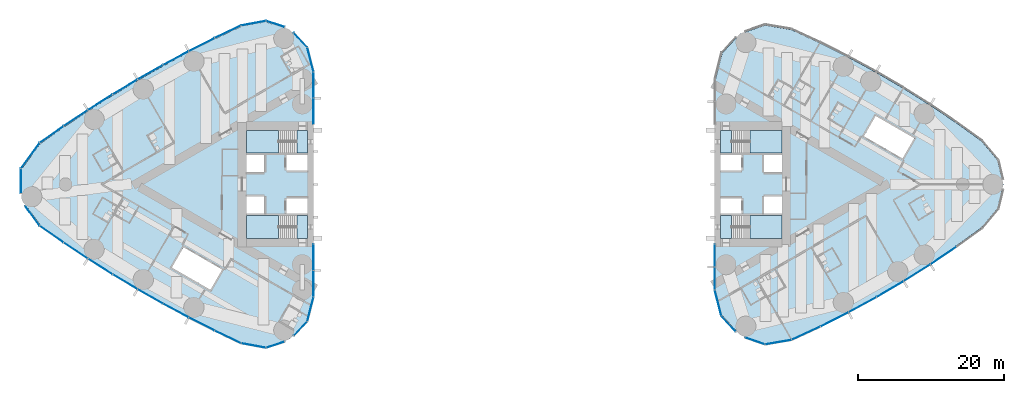
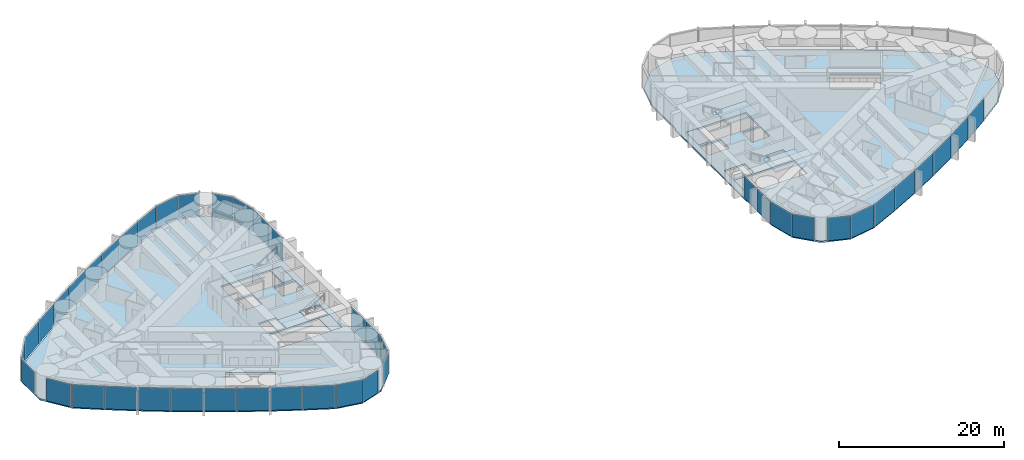
# One storey, part 10 of 18: 43 plates, 10 slabs, 10 elements without a shape of their own.
"""IFC4 building model written with IfcOpenShell, lengths in metres."""

from ifc_helpers import new_model, si_unit, direction, frame, origin, origin_2d, place, context, subcontext, project, spatial, polyline, rectangle, outline, extrude, material, layer, layer_set, type_object, element, aggregate, save


model = new_model("IFC4")

# Units and contexts
model_context = context("Model", 3, precision=1e-05, world=origin(), true_north=direction((0.0, 1.0)))
body_context = subcontext(model_context, "Body", "Model", "MODEL_VIEW")
ifc_project = project(units=[si_unit("LENGTHUNIT", "METRE"), si_unit("AREAUNIT", "SQUARE_METRE"), si_unit("VOLUMEUNIT", "CUBIC_METRE"), si_unit("PLANEANGLEUNIT", "RADIAN"), si_unit("MASSUNIT", "GRAM", prefix="KILO")], contexts=[model_context])

# Site, building, storey
site_placement = place(None, origin())
site = spatial("IfcSite", under=ifc_project, at=site_placement, CompositionType="ELEMENT")
building_placement = place(site_placement, origin())
building = spatial("IfcBuilding", under=site, at=building_placement, Name="Lancet Gate Hotel", CompositionType="ELEMENT")
storey_placement = place(building_placement, frame((0.0, 0.0, 187.800048828125)))
storey = spatial("IfcBuildingStorey", under=building, at=storey_placement, Name="L50", CompositionType="ELEMENT", Elevation=187.800048828125)

# Slabs
ifc_material_1 = material(Name="Concrete C50/60", Category="concrete")
ifc_layer_1 = layer(ifc_material_1, 0.25)
ifc_layer_set_1 = layer_set([ifc_layer_1], Name="Floor slab 250")
slab_type_1 = type_object("IfcSlabType", Name="Floor slab 250", PredefinedType="FLOOR", material=ifc_layer_set_1)
slab_1_placement = place(storey_placement, frame((0.0, 0.0, -0.25)))
element("IfcSlab", 1, at=slab_1_placement, inside=storey, type_object=slab_type_1, Name="T1 L50 floor slab", PredefinedType="FLOOR", context=body_context, shape_type="SweptSolid", body=[
    extrude(outline(polyline([(-27.5, 8.60009765625), (-27.6201171875, 8.60009765625), (-27.6201171875, 15.408203125), (-28.46923828125, 18.7265625), (-30.797607421875, 21.217529296875), (-34.0361328125, 22.283935546875), (-37.403564453125, 21.660400390625), (-40.996826171875, 19.9453125), (-44.561767578125, 18.139404296875), (-48.0830078125, 16.250244140625), (-51.558837890625, 14.27880859375), (-54.987548828125, 12.22607421875), (-58.366943359375, 10.09326171875), (-61.695068359375, 7.881591796875), (-64.955322265625, 5.602783203125), (-67.49560546875, 2.138427734375), (-67.49560546875, -2.138427734375), (-64.955322265625, -5.602783203125), (-61.695068359375, -7.881591796875), (-58.366943359375, -10.09326171875), (-54.987548828125, -12.22607421875), (-51.558837890625, -14.27880859375), (-48.0830078125, -16.250244140625), (-44.561767578125, -18.139404296875), (-40.996826171875, -19.9453125), (-37.403564453125, -21.660400390625), (-34.0361328125, -22.283935546875), (-30.797607421875, -21.217529296875), (-28.46923828125, -18.7265625), (-27.6201171875, -15.408203125), (-27.6201171875, -8.60009765625), (-27.5, -8.60009765625), (-27.5, -8.199951171875), (-27.5, 8.199951171875), (-27.5, 8.60009765625)]), holes=[polyline([(-36.699951171875, 7.39990234375), (-36.699951171875, 4.300048828125), (-28.300048828125, 4.300048828125), (-28.300048828125, 7.39990234375), (-36.699951171875, 7.39990234375)]), polyline([(-28.300048828125, 4.0), (-31.199951171875, 4.0), (-31.199951171875, 1.89990234375), (-28.300048828125, 1.89990234375), (-28.300048828125, 4.0)]), polyline([(-34.25, 4.0), (-36.699951171875, 4.0), (-36.699951171875, 1.64990234375), (-34.25, 1.64990234375), (-34.25, 4.0)]), polyline([(-36.699951171875, -1.64990234375), (-36.699951171875, -4.0), (-34.25, -4.0), (-34.25, -1.64990234375), (-36.699951171875, -1.64990234375)]), polyline([(-28.300048828125, -1.89990234375), (-31.199951171875, -1.89990234375), (-31.199951171875, -4.0), (-28.300048828125, -4.0), (-28.300048828125, -1.89990234375)]), polyline([(-28.300048828125, -4.300048828125), (-36.699951171875, -4.300048828125), (-36.699951171875, -7.39990234375), (-28.300048828125, -7.39990234375), (-28.300048828125, -4.300048828125)]), polyline([(-45.319091796875, -8.631103515625), (-46.9189453125, -11.402099609375), (-41.635986328125, -14.451904296875), (-40.035888671875, -11.680908203125), (-45.319091796875, -8.631103515625)])]), origin(), (0.0, 0.0, 1.0), 0.25),
])
slab_2_placement = place(storey_placement, frame((0.0, 0.0, -0.25)))
element("IfcSlab", 2, at=slab_2_placement, inside=storey, type_object=slab_type_1, Name="T2 L50 floor slab", PredefinedType="FLOOR", context=body_context, shape_type="SweptSolid", body=[
    extrude(outline(polyline([(27.5, -8.60009765625), (27.6201171875, -8.60009765625), (27.6201171875, -14.450439453125), (28.517822265625, -17.9853515625), (30.98291015625, -20.65185546875), (34.421875, -21.819091796875), (38.01513671875, -21.201171875), (41.9296875, -19.383056640625), (45.796875, -17.435302734375), (49.6005859375, -15.36572265625), (53.336669921875, -13.1767578125), (57.00146484375, -10.87060546875), (60.591552734375, -8.44921875), (64.092041015625, -5.9228515625), (66.283447265625, -3.307373046875), (67.06640625, 0.0), (66.283447265625, 3.307373046875), (64.092041015625, 5.9228515625), (60.591552734375, 8.44921875), (57.00146484375, 10.87060546875), (53.336669921875, 13.1767578125), (49.6005859375, 15.36572265625), (45.796875, 17.435302734375), (41.9296875, 19.383056640625), (38.01513671875, 21.201171875), (34.421875, 21.819091796875), (30.98291015625, 20.65185546875), (28.517822265625, 17.9853515625), (27.6201171875, 14.450439453125), (27.6201171875, 8.60009765625), (27.5, 8.60009765625), (27.5, 8.199951171875), (27.5, -8.199951171875), (27.5, -8.60009765625)]), holes=[polyline([(36.699951171875, -7.39990234375), (36.699951171875, -4.300048828125), (28.300048828125, -4.300048828125), (28.300048828125, -7.39990234375), (36.699951171875, -7.39990234375)]), polyline([(28.300048828125, -4.0), (31.199951171875, -4.0), (31.199951171875, -1.89990234375), (28.300048828125, -1.89990234375), (28.300048828125, -4.0)]), polyline([(34.25, -4.0), (36.699951171875, -4.0), (36.699951171875, -1.64990234375), (34.25, -1.64990234375), (34.25, -4.0)]), polyline([(36.699951171875, 1.64990234375), (36.699951171875, 4.0), (34.25, 4.0), (34.25, 1.64990234375), (36.699951171875, 1.64990234375)]), polyline([(28.300048828125, 1.89990234375), (31.199951171875, 1.89990234375), (31.199951171875, 4.0), (28.300048828125, 4.0), (28.300048828125, 1.89990234375)]), polyline([(28.300048828125, 4.300048828125), (36.699951171875, 4.300048828125), (36.699951171875, 7.39990234375), (28.300048828125, 7.39990234375), (28.300048828125, 4.300048828125)]), polyline([(53.242919921875, 3.555908203125), (54.843017578125, 6.326904296875), (49.56103515625, 9.376953125), (47.9609375, 6.60595703125), (53.242919921875, 3.555908203125)])]), origin(), (0.0, 0.0, 1.0), 0.25),
])

# Stair, slabs
ifc_material_2 = material(Name="Exit stair 20 risers 1500")
stair_type = type_object("IfcStairType", Name="Exit stair 20 risers 1500", PredefinedType="HALF_TURN_STAIR", material=ifc_material_2)
stair_1_placement = place(storey_placement, origin())
stair_1 = element("IfcStair", 3, at=stair_1_placement, inside=storey, type_object=stair_type, Name="T1 stair 1 L50", PredefinedType="HALF_TURN_STAIR")
ifc_material_3 = material(Name="Concrete C40/50", Category="concrete")
ifc_layer_2 = layer(ifc_material_3, 0.199951171875)
ifc_layer_set_2 = layer_set([ifc_layer_2], Name="Stair landing 200")
slab_type_2 = type_object("IfcSlabType", Name="Stair landing 200", PredefinedType="LANDING", material=ifc_layer_set_2)
slab_3_placement = place(storey_placement, frame((0.0, 0.0, -0.199951171875)))
slab_3 = element("IfcSlab", 4, at=slab_3_placement, type_object=slab_type_2, Name="ST1 landing 1", PredefinedType="LANDING", context=body_context, shape_type="SweptSolid", body=[
    extrude(outline(polyline([(-28.300048828125, 7.39990234375), (-29.800048828125, 7.39990234375), (-29.800048828125, 4.300048828125), (-28.300048828125, 4.300048828125), (-28.300048828125, 7.39990234375)])), origin(), (0.0, 0.0, 1.0), 0.199951171875),
])
slab_4_placement = place(storey_placement, frame((0.0, 0.0, 1.550048828125)))
slab_4 = element("IfcSlab", 5, at=slab_4_placement, type_object=slab_type_2, Name="ST1 landing 2", PredefinedType="LANDING", context=body_context, shape_type="SweptSolid", body=[
    extrude(outline(polyline([(-32.320068359375, 7.39990234375), (-36.699951171875, 7.39990234375), (-36.699951171875, 4.300048828125), (-32.320068359375, 4.300048828125), (-32.320068359375, 7.39990234375)])), origin(), (0.0, 0.0, 1.0), 0.199951171875),
])
aggregate(stair_1, [slab_3, slab_4])

stair_2_placement = place(storey_placement, origin())
stair_2 = element("IfcStair", 6, at=stair_2_placement, inside=storey, type_object=stair_type, Name="T1 stair 2 L50", PredefinedType="HALF_TURN_STAIR")
slab_5_placement = place(storey_placement, frame((0.0, 0.0, -0.199951171875)))
slab_5 = element("IfcSlab", 7, at=slab_5_placement, type_object=slab_type_2, Name="ST2 landing 1", PredefinedType="LANDING", context=body_context, shape_type="SweptSolid", body=[
    extrude(outline(polyline([(-28.300048828125, -4.300048828125), (-29.800048828125, -4.300048828125), (-29.800048828125, -7.39990234375), (-28.300048828125, -7.39990234375), (-28.300048828125, -4.300048828125)])), origin(), (0.0, 0.0, 1.0), 0.199951171875),
])
slab_6_placement = place(storey_placement, frame((0.0, 0.0, 1.550048828125)))
slab_6 = element("IfcSlab", 8, at=slab_6_placement, type_object=slab_type_2, Name="ST2 landing 2", PredefinedType="LANDING", context=body_context, shape_type="SweptSolid", body=[
    extrude(outline(polyline([(-32.320068359375, -4.300048828125), (-36.699951171875, -4.300048828125), (-36.699951171875, -7.39990234375), (-32.320068359375, -7.39990234375), (-32.320068359375, -4.300048828125)])), origin(), (0.0, 0.0, 1.0), 0.199951171875),
])
aggregate(stair_2, [slab_5, slab_6])

stair_3_placement = place(storey_placement, origin())
stair_3 = element("IfcStair", 9, at=stair_3_placement, inside=storey, type_object=stair_type, Name="T2 stair 1 L50", PredefinedType="HALF_TURN_STAIR")
slab_7_placement = place(storey_placement, frame((0.0, 0.0, -0.199951171875)))
slab_7 = element("IfcSlab", 10, at=slab_7_placement, type_object=slab_type_2, Name="ST3 landing 1", PredefinedType="LANDING", context=body_context, shape_type="SweptSolid", body=[
    extrude(outline(polyline([(28.300048828125, -7.39990234375), (29.800048828125, -7.39990234375), (29.800048828125, -4.300048828125), (28.300048828125, -4.300048828125), (28.300048828125, -7.39990234375)])), origin(), (0.0, 0.0, 1.0), 0.199951171875),
])
slab_8_placement = place(storey_placement, frame((0.0, 0.0, 1.550048828125)))
slab_8 = element("IfcSlab", 11, at=slab_8_placement, type_object=slab_type_2, Name="ST3 landing 2", PredefinedType="LANDING", context=body_context, shape_type="SweptSolid", body=[
    extrude(outline(polyline([(32.320068359375, -7.39990234375), (36.699951171875, -7.39990234375), (36.699951171875, -4.300048828125), (32.320068359375, -4.300048828125), (32.320068359375, -7.39990234375)])), origin(), (0.0, 0.0, 1.0), 0.199951171875),
])
aggregate(stair_3, [slab_7, slab_8])

stair_4_placement = place(storey_placement, origin())
stair_4 = element("IfcStair", 12, at=stair_4_placement, inside=storey, type_object=stair_type, Name="T2 stair 2 L50", PredefinedType="HALF_TURN_STAIR")
slab_9_placement = place(storey_placement, frame((0.0, 0.0, -0.199951171875)))
slab_9 = element("IfcSlab", 13, at=slab_9_placement, type_object=slab_type_2, Name="ST4 landing 1", PredefinedType="LANDING", context=body_context, shape_type="SweptSolid", body=[
    extrude(outline(polyline([(28.300048828125, 4.300048828125), (29.800048828125, 4.300048828125), (29.800048828125, 7.39990234375), (28.300048828125, 7.39990234375), (28.300048828125, 4.300048828125)])), origin(), (0.0, 0.0, 1.0), 0.199951171875),
])
slab_10_placement = place(storey_placement, frame((0.0, 0.0, 1.550048828125)))
slab_10 = element("IfcSlab", 14, at=slab_10_placement, type_object=slab_type_2, Name="ST4 landing 2", PredefinedType="LANDING", context=body_context, shape_type="SweptSolid", body=[
    extrude(outline(polyline([(32.320068359375, 4.300048828125), (36.699951171875, 4.300048828125), (36.699951171875, 7.39990234375), (32.320068359375, 7.39990234375), (32.320068359375, 4.300048828125)])), origin(), (0.0, 0.0, 1.0), 0.199951171875),
])
aggregate(stair_4, [slab_9, slab_10])

# Curtain wall, plates
ifc_material_4 = material(Name="Aluminium curtain wall", Category="aluminium")
curtain_wall_type = type_object("IfcCurtainWallType", Name="Tower unitised curtain wall", PredefinedType="USERDEFINED", material=ifc_material_4)
curtain_wall_1_placement = place(storey_placement, origin())
curtain_wall_1 = element("IfcCurtainWall", 15, at=curtain_wall_1_placement, inside=storey, type_object=curtain_wall_type, Name="T1 L50 curtain wall 1", ObjectType="UNITISED CURTAIN WALL", PredefinedType="USERDEFINED")
ifc_material_5 = material(Name="Glass double glazed unit 8-16-6", Category="glass")
ifc_layer_3 = layer(ifc_material_5, 0.030029296875)
ifc_layer_set_3 = layer_set([ifc_layer_3], Name="Vision panel double glazed")
plate_type = type_object("IfcPlateType", Name="Vision panel double glazed", PredefinedType="CURTAIN_PANEL", material=ifc_layer_set_3)
plate_1_placement = place(storey_placement, frame((-27.5, 10.005859375, 0.0), z_axis=(0.0, 0.0, 1.0), x_axis=(0.0, 1.0, 0.0)))
plate_1 = element("IfcPlate", 16, at=plate_1_placement, type_object=plate_type, Name="T1 L50 curtain wall 1 panel 1", PredefinedType="CURTAIN_PANEL", context=body_context, shape_type="SweptSolid", body=[
    extrude(rectangle(XDim=3.546630859375, YDim=0.030029296875, at=origin_2d()), origin(), (0.0, 0.0, 1.0), 3.35009765625),
])
plate_2_placement = place(storey_placement, frame((-27.5, 13.617431640625, 0.0), z_axis=(0.0, 0.0, 1.0), x_axis=(0.0, 1.0, 0.0)))
plate_2 = element("IfcPlate", 17, at=plate_2_placement, type_object=plate_type, Name="T1 L50 curtain wall 1 panel 2", PredefinedType="CURTAIN_PANEL", context=body_context, shape_type="SweptSolid", body=[
    extrude(rectangle(XDim=3.546630859375, YDim=0.030029296875, at=origin_2d()), origin(), (0.0, 0.0, 1.0), 3.35009765625),
])
plate_3_placement = place(storey_placement, frame((-27.930419921875, 17.104736328125, 0.0), z_axis=(0.0, 0.0, 1.0), x_axis=(-0.247936754654, 0.968776220647, 0.0)))
plate_3 = element("IfcPlate", 18, at=plate_3_placement, type_object=plate_type, Name="T1 L50 curtain wall 1 panel 3", PredefinedType="CURTAIN_PANEL", context=body_context, shape_type="SweptSolid", body=[
    extrude(rectangle(XDim=3.406005859375, YDim=0.030029296875, at=origin_2d()), origin(), (0.0, 0.0, 1.0), 3.35009765625),
])
plate_4_placement = place(storey_placement, frame((-29.28564453125, 19.77587890625, 0.0), z_axis=(0.0, 0.0, 1.0), x_axis=(-0.682844962172, 0.730563315282, 0.0)))
plate_4 = element("IfcPlate", 19, at=plate_4_placement, type_object=plate_type, Name="T1 L50 curtain wall 1 panel 4", PredefinedType="CURTAIN_PANEL", context=body_context, shape_type="SweptSolid", body=[
    extrude(rectangle(XDim=2.64453125, YDim=0.030029296875, at=origin_2d()), origin(), (0.0, 0.0, 1.0), 3.35009765625),
])
aggregate(curtain_wall_1, [plate_1, plate_2, plate_3, plate_4])

curtain_wall_2_placement = place(storey_placement, origin())
curtain_wall_2 = element("IfcCurtainWall", 20, at=curtain_wall_2_placement, inside=storey, type_object=curtain_wall_type, Name="T1 L50 curtain wall 2", ObjectType="UNITISED CURTAIN WALL", PredefinedType="USERDEFINED")
plate_5_placement = place(storey_placement, frame((-32.740234375, 21.983642578125, 0.0), z_axis=(0.0, 0.0, 1.0), x_axis=(-0.949848055084, 0.312711803827, 0.0)))
plate_5 = element("IfcPlate", 21, at=plate_5_placement, type_object=plate_type, Name="T1 L50 curtain wall 2 panel 1", PredefinedType="CURTAIN_PANEL", context=body_context, shape_type="SweptSolid", body=[
    extrude(rectangle(XDim=2.64599609375, YDim=0.030029296875, at=origin_2d()), origin(), (0.0, 0.0, 1.0), 3.35009765625),
])
plate_6_placement = place(storey_placement, frame((-35.734375, 22.091552734375, 0.0), z_axis=(0.0, 0.0, 1.0), x_axis=(-0.983292499426, -0.182032581075, 0.0)))
plate_6 = element("IfcPlate", 22, at=plate_6_placement, type_object=plate_type, Name="T1 L50 curtain wall 2 panel 2", PredefinedType="CURTAIN_PANEL", context=body_context, shape_type="SweptSolid", body=[
    extrude(rectangle(XDim=3.406005859375, YDim=0.030029296875, at=origin_2d()), origin(), (0.0, 0.0, 1.0), 3.35009765625),
])
plate_7_placement = place(storey_placement, frame((-39.245361328125, 20.914306640625, 0.0), z_axis=(0.0, 0.0, 1.0), x_axis=(-0.902453530018, -0.430787216799, 0.0)))
plate_7 = element("IfcPlate", 23, at=plate_7_placement, type_object=plate_type, Name="T1 L50 curtain wall 2 panel 3", PredefinedType="CURTAIN_PANEL", context=body_context, shape_type="SweptSolid", body=[
    extrude(rectangle(XDim=3.933837890625, YDim=0.030029296875, at=origin_2d()), origin(), (0.0, 0.0, 1.0), 3.35009765625),
])
plate_8_placement = place(storey_placement, frame((-42.83349609375, 19.1494140625, 0.0), z_axis=(0.0, 0.0, 1.0), x_axis=(-0.892071119911, -0.451895028762, 0.0)))
plate_8 = element("IfcPlate", 24, at=plate_8_placement, type_object=plate_type, Name="T1 L50 curtain wall 2 panel 4", PredefinedType="CURTAIN_PANEL", context=body_context, shape_type="SweptSolid", body=[
    extrude(rectangle(XDim=3.933837890625, YDim=0.030029296875, at=origin_2d()), origin(), (0.0, 0.0, 1.0), 3.35009765625),
])
plate_9_placement = place(storey_placement, frame((-46.379150390625, 17.300537109375, 0.0), z_axis=(0.0, 0.0, 1.0), x_axis=(-0.881195096384, -0.472752791751, 0.0)))
plate_9 = element("IfcPlate", 25, at=plate_9_placement, type_object=plate_type, Name="T1 L50 curtain wall 2 panel 5", PredefinedType="CURTAIN_PANEL", context=body_context, shape_type="SweptSolid", body=[
    extrude(rectangle(XDim=3.933837890625, YDim=0.030029296875, at=origin_2d()), origin(), (0.0, 0.0, 1.0), 3.35009765625),
])
plate_10_placement = place(storey_placement, frame((-49.880126953125, 15.368896484375, 0.0), z_axis=(0.0, 0.0, 1.0), x_axis=(-0.869831477496, -0.493348964484, 0.0)))
plate_10 = element("IfcPlate", 26, at=plate_10_placement, type_object=plate_type, Name="T1 L50 curtain wall 2 panel 6", PredefinedType="CURTAIN_PANEL", context=body_context, shape_type="SweptSolid", body=[
    extrude(rectangle(XDim=3.933837890625, YDim=0.030029296875, at=origin_2d()), origin(), (0.0, 0.0, 1.0), 3.35009765625),
])
plate_11_placement = place(storey_placement, frame((-53.3349609375, 13.35546875, 0.0), z_axis=(0.0, 0.0, 1.0), x_axis=(-0.857986551132, -0.51367215038, 0.0)))
plate_11 = element("IfcPlate", 27, at=plate_11_placement, type_object=plate_type, Name="T1 L50 curtain wall 2 panel 7", PredefinedType="CURTAIN_PANEL", context=body_context, shape_type="SweptSolid", body=[
    extrude(rectangle(XDim=3.933837890625, YDim=0.030029296875, at=origin_2d()), origin(), (0.0, 0.0, 1.0), 3.35009765625),
])
plate_12_placement = place(storey_placement, frame((-56.7412109375, 11.26123046875, 0.0), z_axis=(0.0, 0.0, 1.0), x_axis=(-0.845666871497, -0.533711103925, 0.0)))
plate_12 = element("IfcPlate", 28, at=plate_12_placement, type_object=plate_type, Name="T1 L50 curtain wall 2 panel 8", PredefinedType="CURTAIN_PANEL", context=body_context, shape_type="SweptSolid", body=[
    extrude(rectangle(XDim=3.933837890625, YDim=0.030029296875, at=origin_2d()), origin(), (0.0, 0.0, 1.0), 3.35009765625),
])
plate_13_placement = place(storey_placement, frame((-60.097412109375, 9.08740234375, 0.0), z_axis=(0.0, 0.0, 1.0), x_axis=(-0.832879255498, -0.553454736867, 0.0)))
plate_13 = element("IfcPlate", 29, at=plate_13_placement, type_object=plate_type, Name="T1 L50 curtain wall 2 panel 9", PredefinedType="CURTAIN_PANEL", context=body_context, shape_type="SweptSolid", body=[
    extrude(rectangle(XDim=3.933837890625, YDim=0.030029296875, at=origin_2d()), origin(), (0.0, 0.0, 1.0), 3.35009765625),
])
plate_14_placement = place(storey_placement, frame((-63.401611328125, 6.835205078125, 0.0), z_axis=(0.0, 0.0, 1.0), x_axis=(-0.819630778943, -0.572892124409, 0.0)))
plate_14 = element("IfcPlate", 30, at=plate_14_placement, type_object=plate_type, Name="T1 L50 curtain wall 2 panel 10", PredefinedType="CURTAIN_PANEL", context=body_context, shape_type="SweptSolid", body=[
    extrude(rectangle(XDim=3.933837890625, YDim=0.030029296875, at=origin_2d()), origin(), (0.0, 0.0, 1.0), 3.35009765625),
])
plate_15_placement = place(storey_placement, frame((-66.328125, 3.933837890625, 0.0), z_axis=(0.0, 0.0, 1.0), x_axis=(-0.591299785592, -0.806451835858, 0.0)))
plate_15 = element("IfcPlate", 31, at=plate_15_placement, type_object=plate_type, Name="T1 L50 curtain wall 2 panel 11", PredefinedType="CURTAIN_PANEL", context=body_context, shape_type="SweptSolid", body=[
    extrude(rectangle(XDim=4.290283203125, YDim=0.030029296875, at=origin_2d()), origin(), (0.0, 0.0, 1.0), 3.35009765625),
])
plate_16_placement = place(storey_placement, frame((-67.61572265625, 0.478515625, 0.0), z_axis=(0.0, 0.0, 1.0), x_axis=(0.0, -1.0, 0.0)))
plate_16 = element("IfcPlate", 32, at=plate_16_placement, type_object=plate_type, Name="T1 L50 curtain wall 2 panel 12", PredefinedType="CURTAIN_PANEL", context=body_context, shape_type="SweptSolid", body=[
    extrude(rectangle(XDim=3.333251953125, YDim=0.030029296875, at=origin_2d()), origin(), (0.0, 0.0, 1.0), 3.35009765625),
])
aggregate(curtain_wall_2, [plate_5, plate_6, plate_7, plate_8, plate_9, plate_10, plate_11, plate_12, plate_13, plate_14, plate_15, plate_16])

curtain_wall_3_placement = place(storey_placement, origin())
curtain_wall_3 = element("IfcCurtainWall", 33, at=curtain_wall_3_placement, inside=storey, type_object=curtain_wall_type, Name="T1 L50 curtain wall 3", ObjectType="UNITISED CURTAIN WALL", PredefinedType="USERDEFINED")
plate_17_placement = place(storey_placement, frame((-66.04541015625, -4.3193359375, 0.0), z_axis=(0.0, 0.0, 1.0), x_axis=(0.591299785592, -0.806451835858, 0.0)))
plate_17 = element("IfcPlate", 34, at=plate_17_placement, type_object=plate_type, Name="T1 L50 curtain wall 3 panel 1", PredefinedType="CURTAIN_PANEL", context=body_context, shape_type="SweptSolid", body=[
    extrude(rectangle(XDim=3.334228515625, YDim=0.030029296875, at=origin_2d()), origin(), (0.0, 0.0, 1.0), 3.35009765625),
])
plate_18_placement = place(storey_placement, frame((-63.401611328125, -6.835205078125, 0.0), z_axis=(0.0, 0.0, 1.0), x_axis=(0.819630778943, -0.572892124409, 0.0)))
plate_18 = element("IfcPlate", 35, at=plate_18_placement, type_object=plate_type, Name="T1 L50 curtain wall 3 panel 2", PredefinedType="CURTAIN_PANEL", context=body_context, shape_type="SweptSolid", body=[
    extrude(rectangle(XDim=3.933837890625, YDim=0.030029296875, at=origin_2d()), origin(), (0.0, 0.0, 1.0), 3.35009765625),
])
plate_19_placement = place(storey_placement, frame((-60.097412109375, -9.08740234375, 0.0), z_axis=(0.0, 0.0, 1.0), x_axis=(0.832879255498, -0.553454736867, 0.0)))
plate_19 = element("IfcPlate", 36, at=plate_19_placement, type_object=plate_type, Name="T1 L50 curtain wall 3 panel 3", PredefinedType="CURTAIN_PANEL", context=body_context, shape_type="SweptSolid", body=[
    extrude(rectangle(XDim=3.933837890625, YDim=0.030029296875, at=origin_2d()), origin(), (0.0, 0.0, 1.0), 3.35009765625),
])
plate_20_placement = place(storey_placement, frame((-56.7412109375, -11.26123046875, 0.0), z_axis=(0.0, 0.0, 1.0), x_axis=(0.845666871497, -0.533711103925, 0.0)))
plate_20 = element("IfcPlate", 37, at=plate_20_placement, type_object=plate_type, Name="T1 L50 curtain wall 3 panel 4", PredefinedType="CURTAIN_PANEL", context=body_context, shape_type="SweptSolid", body=[
    extrude(rectangle(XDim=3.933837890625, YDim=0.030029296875, at=origin_2d()), origin(), (0.0, 0.0, 1.0), 3.35009765625),
])
plate_21_placement = place(storey_placement, frame((-53.3349609375, -13.35546875, 0.0), z_axis=(0.0, 0.0, 1.0), x_axis=(0.857986551132, -0.51367215038, 0.0)))
plate_21 = element("IfcPlate", 38, at=plate_21_placement, type_object=plate_type, Name="T1 L50 curtain wall 3 panel 5", PredefinedType="CURTAIN_PANEL", context=body_context, shape_type="SweptSolid", body=[
    extrude(rectangle(XDim=3.933837890625, YDim=0.030029296875, at=origin_2d()), origin(), (0.0, 0.0, 1.0), 3.35009765625),
])
plate_22_placement = place(storey_placement, frame((-49.880126953125, -15.368896484375, 0.0), z_axis=(0.0, 0.0, 1.0), x_axis=(0.869831477496, -0.493348964484, 0.0)))
plate_22 = element("IfcPlate", 39, at=plate_22_placement, type_object=plate_type, Name="T1 L50 curtain wall 3 panel 6", PredefinedType="CURTAIN_PANEL", context=body_context, shape_type="SweptSolid", body=[
    extrude(rectangle(XDim=3.933837890625, YDim=0.030029296875, at=origin_2d()), origin(), (0.0, 0.0, 1.0), 3.35009765625),
])
plate_23_placement = place(storey_placement, frame((-46.379150390625, -17.300537109375, 0.0), z_axis=(0.0, 0.0, 1.0), x_axis=(0.881195096384, -0.472752791751, 0.0)))
plate_23 = element("IfcPlate", 40, at=plate_23_placement, type_object=plate_type, Name="T1 L50 curtain wall 3 panel 7", PredefinedType="CURTAIN_PANEL", context=body_context, shape_type="SweptSolid", body=[
    extrude(rectangle(XDim=3.933837890625, YDim=0.030029296875, at=origin_2d()), origin(), (0.0, 0.0, 1.0), 3.35009765625),
])
plate_24_placement = place(storey_placement, frame((-42.83349609375, -19.1494140625, 0.0), z_axis=(0.0, 0.0, 1.0), x_axis=(0.892071119911, -0.451895028762, 0.0)))
plate_24 = element("IfcPlate", 41, at=plate_24_placement, type_object=plate_type, Name="T1 L50 curtain wall 3 panel 8", PredefinedType="CURTAIN_PANEL", context=body_context, shape_type="SweptSolid", body=[
    extrude(rectangle(XDim=3.933837890625, YDim=0.030029296875, at=origin_2d()), origin(), (0.0, 0.0, 1.0), 3.35009765625),
])
plate_25_placement = place(storey_placement, frame((-39.245361328125, -20.914306640625, 0.0), z_axis=(0.0, 0.0, 1.0), x_axis=(0.902453530018, -0.430787216799, 0.0)))
plate_25 = element("IfcPlate", 42, at=plate_25_placement, type_object=plate_type, Name="T1 L50 curtain wall 3 panel 9", PredefinedType="CURTAIN_PANEL", context=body_context, shape_type="SweptSolid", body=[
    extrude(rectangle(XDim=3.933837890625, YDim=0.030029296875, at=origin_2d()), origin(), (0.0, 0.0, 1.0), 3.35009765625),
])
plate_26_placement = place(storey_placement, frame((-35.734375, -22.091552734375, 0.0), z_axis=(0.0, 0.0, 1.0), x_axis=(0.983292499426, -0.182032581075, 0.0)))
plate_26 = element("IfcPlate", 43, at=plate_26_placement, type_object=plate_type, Name="T1 L50 curtain wall 3 panel 10", PredefinedType="CURTAIN_PANEL", context=body_context, shape_type="SweptSolid", body=[
    extrude(rectangle(XDim=3.406005859375, YDim=0.030029296875, at=origin_2d()), origin(), (0.0, 0.0, 1.0), 3.35009765625),
])
plate_27_placement = place(storey_placement, frame((-32.740234375, -21.983642578125, 0.0), z_axis=(0.0, 0.0, 1.0), x_axis=(0.949848055084, 0.312711803827, 0.0)))
plate_27 = element("IfcPlate", 44, at=plate_27_placement, type_object=plate_type, Name="T1 L50 curtain wall 3 panel 11", PredefinedType="CURTAIN_PANEL", context=body_context, shape_type="SweptSolid", body=[
    extrude(rectangle(XDim=2.64599609375, YDim=0.030029296875, at=origin_2d()), origin(), (0.0, 0.0, 1.0), 3.35009765625),
])
aggregate(curtain_wall_3, [plate_17, plate_18, plate_19, plate_20, plate_21, plate_22, plate_23, plate_24, plate_25, plate_26, plate_27])

curtain_wall_4_placement = place(storey_placement, origin())
curtain_wall_4 = element("IfcCurtainWall", 45, at=curtain_wall_4_placement, inside=storey, type_object=curtain_wall_type, Name="T1 L50 curtain wall 4", ObjectType="UNITISED CURTAIN WALL", PredefinedType="USERDEFINED")
plate_28_placement = place(storey_placement, frame((-29.28564453125, -19.77587890625, 0.0), z_axis=(0.0, 0.0, 1.0), x_axis=(0.682844962172, 0.730563315282, 0.0)))
plate_28 = element("IfcPlate", 46, at=plate_28_placement, type_object=plate_type, Name="T1 L50 curtain wall 4 panel 1", PredefinedType="CURTAIN_PANEL", context=body_context, shape_type="SweptSolid", body=[
    extrude(rectangle(XDim=2.64453125, YDim=0.030029296875, at=origin_2d()), origin(), (0.0, 0.0, 1.0), 3.35009765625),
])
plate_29_placement = place(storey_placement, frame((-27.930419921875, -17.104736328125, 0.0), z_axis=(0.0, 0.0, 1.0), x_axis=(0.247936754654, 0.968776220647, 0.0)))
plate_29 = element("IfcPlate", 47, at=plate_29_placement, type_object=plate_type, Name="T1 L50 curtain wall 4 panel 2", PredefinedType="CURTAIN_PANEL", context=body_context, shape_type="SweptSolid", body=[
    extrude(rectangle(XDim=3.406005859375, YDim=0.030029296875, at=origin_2d()), origin(), (0.0, 0.0, 1.0), 3.35009765625),
])
plate_30_placement = place(storey_placement, frame((-27.5, -13.617431640625, 0.0), z_axis=(0.0, 0.0, 1.0), x_axis=(0.0, 1.0, 0.0)))
plate_30 = element("IfcPlate", 48, at=plate_30_placement, type_object=plate_type, Name="T1 L50 curtain wall 4 panel 3", PredefinedType="CURTAIN_PANEL", context=body_context, shape_type="SweptSolid", body=[
    extrude(rectangle(XDim=3.546630859375, YDim=0.030029296875, at=origin_2d()), origin(), (0.0, 0.0, 1.0), 3.35009765625),
])
plate_31_placement = place(storey_placement, frame((-27.5, -10.005859375, 0.0), z_axis=(0.0, 0.0, 1.0), x_axis=(0.0, 1.0, 0.0)))
plate_31 = element("IfcPlate", 49, at=plate_31_placement, type_object=plate_type, Name="T1 L50 curtain wall 4 panel 4", PredefinedType="CURTAIN_PANEL", context=body_context, shape_type="SweptSolid", body=[
    extrude(rectangle(XDim=3.546630859375, YDim=0.030029296875, at=origin_2d()), origin(), (0.0, 0.0, 1.0), 3.35009765625),
])
aggregate(curtain_wall_4, [plate_28, plate_29, plate_30, plate_31])

curtain_wall_5_placement = place(storey_placement, origin())
curtain_wall_5 = element("IfcCurtainWall", 50, at=curtain_wall_5_placement, inside=storey, type_object=curtain_wall_type, Name="T2 L50 curtain wall 1", ObjectType="UNITISED CURTAIN WALL", PredefinedType="USERDEFINED")
plate_32_placement = place(storey_placement, frame((27.5, -9.766357421875, 0.0), z_axis=(0.0, 0.0, 1.0), x_axis=(0.0, -1.0, 0.0)))
plate_32 = element("IfcPlate", 51, at=plate_32_placement, type_object=plate_type, Name="T2 L50 curtain wall 1 panel 1", PredefinedType="CURTAIN_PANEL", context=body_context, shape_type="SweptSolid", body=[
    extrude(rectangle(XDim=3.06787109375, YDim=0.030029296875, at=origin_2d()), origin(), (0.0, 0.0, 1.0), 3.35009765625),
])
plate_33_placement = place(storey_placement, frame((27.5, -12.899169921875, 0.0), z_axis=(0.0, 0.0, 1.0), x_axis=(0.0, -1.0, 0.0)))
plate_33 = element("IfcPlate", 52, at=plate_33_placement, type_object=plate_type, Name="T2 L50 curtain wall 1 panel 2", PredefinedType="CURTAIN_PANEL", context=body_context, shape_type="SweptSolid", body=[
    extrude(rectangle(XDim=3.06787109375, YDim=0.030029296875, at=origin_2d()), origin(), (0.0, 0.0, 1.0), 3.35009765625),
])
plate_34_placement = place(storey_placement, frame((27.95458984375, -16.2548828125, 0.0), z_axis=(0.0, 0.0, 1.0), x_axis=(0.246166705764, -0.969227503207, 0.0)))
plate_34 = element("IfcPlate", 53, at=plate_34_placement, type_object=plate_type, Name="T2 L50 curtain wall 1 panel 3", PredefinedType="CURTAIN_PANEL", context=body_context, shape_type="SweptSolid", body=[
    extrude(rectangle(XDim=3.62744140625, YDim=0.030029296875, at=origin_2d()), origin(), (0.0, 0.0, 1.0), 3.35009765625),
])
plate_35_placement = place(storey_placement, frame((29.4052734375, -19.122314453125, 0.0), z_axis=(0.0, 0.0, 1.0), x_axis=(0.67883123083, -0.734294327943, 0.0)))
plate_35 = element("IfcPlate", 54, at=plate_35_placement, type_object=plate_type, Name="T2 L50 curtain wall 1 panel 4", PredefinedType="CURTAIN_PANEL", context=body_context, shape_type="SweptSolid", body=[
    extrude(rectangle(XDim=2.87060546875, YDim=0.030029296875, at=origin_2d()), origin(), (0.0, 0.0, 1.0), 3.35009765625),
])
aggregate(curtain_wall_5, [plate_32, plate_33, plate_34, plate_35])

curtain_wall_6_placement = place(storey_placement, origin())
curtain_wall_6 = element("IfcCurtainWall", 55, at=curtain_wall_6_placement, inside=storey, type_object=curtain_wall_type, Name="T2 L50 curtain wall 2", ObjectType="UNITISED CURTAIN WALL", PredefinedType="USERDEFINED")
plate_36_placement = place(storey_placement, frame((33.02197265625, -21.470703125, 0.0), z_axis=(0.0, 0.0, 1.0), x_axis=(0.946952368511, -0.321373943827, 0.0)))
plate_36 = element("IfcPlate", 56, at=plate_36_placement, type_object=plate_type, Name="T2 L50 curtain wall 2 panel 1", PredefinedType="CURTAIN_PANEL", context=body_context, shape_type="SweptSolid", body=[
    extrude(rectangle(XDim=2.871337890625, YDim=0.030029296875, at=origin_2d()), origin(), (0.0, 0.0, 1.0), 3.35009765625),
])
plate_37_placement = place(storey_placement, frame((36.231689453125, -21.629638671875, 0.0), z_axis=(0.0, 0.0, 1.0), x_axis=(0.985539649572, 0.169444973729, 0.0)))
plate_37 = element("IfcPlate", 57, at=plate_37_placement, type_object=plate_type, Name="T2 L50 curtain wall 2 panel 2", PredefinedType="CURTAIN_PANEL", context=body_context, shape_type="SweptSolid", body=[
    extrude(rectangle(XDim=3.62744140625, YDim=0.030029296875, at=origin_2d()), origin(), (0.0, 0.0, 1.0), 3.35009765625),
])
plate_38_placement = place(storey_placement, frame((40.0166015625, -20.40380859375, 0.0), z_axis=(0.0, 0.0, 1.0), x_axis=(0.906934888522, 0.421270824982, 0.0)))
plate_38 = element("IfcPlate", 58, at=plate_38_placement, type_object=plate_type, Name="T2 L50 curtain wall 2 panel 3", PredefinedType="CURTAIN_PANEL", context=body_context, shape_type="SweptSolid", body=[
    extrude(rectangle(XDim=4.26904296875, YDim=0.030029296875, at=origin_2d()), origin(), (0.0, 0.0, 1.0), 3.35009765625),
])
plate_39_placement = place(storey_placement, frame((43.917236328125, -18.516357421875, 0.0), z_axis=(0.0, 0.0, 1.0), x_axis=(0.893121465596, 0.449815570752, 0.0)))
plate_39 = element("IfcPlate", 59, at=plate_39_placement, type_object=plate_type, Name="T2 L50 curtain wall 2 panel 4", PredefinedType="CURTAIN_PANEL", context=body_context, shape_type="SweptSolid", body=[
    extrude(rectangle(XDim=4.26904296875, YDim=0.030029296875, at=origin_2d()), origin(), (0.0, 0.0, 1.0), 3.35009765625),
])
plate_40_placement = place(storey_placement, frame((47.756103515625, -16.505859375, 0.0), z_axis=(0.0, 0.0, 1.0), x_axis=(0.878409907967, 0.477907976063, 0.0)))
plate_40 = element("IfcPlate", 60, at=plate_40_placement, type_object=plate_type, Name="T2 L50 curtain wall 2 panel 5", PredefinedType="CURTAIN_PANEL", context=body_context, shape_type="SweptSolid", body=[
    extrude(rectangle(XDim=4.26904296875, YDim=0.030029296875, at=origin_2d()), origin(), (0.0, 0.0, 1.0), 3.35009765625),
])
plate_41_placement = place(storey_placement, frame((51.529296875, -14.374755859375, 0.0), z_axis=(0.0, 0.0, 1.0), x_axis=(0.862815009772, 0.505519790822, 0.0)))
plate_41 = element("IfcPlate", 61, at=plate_41_placement, type_object=plate_type, Name="T2 L50 curtain wall 2 panel 6", PredefinedType="CURTAIN_PANEL", context=body_context, shape_type="SweptSolid", body=[
    extrude(rectangle(XDim=4.26904296875, YDim=0.030029296875, at=origin_2d()), origin(), (0.0, 0.0, 1.0), 3.35009765625),
])
plate_42_placement = place(storey_placement, frame((55.233154296875, -12.125244140625, 0.0), z_axis=(0.0, 0.0, 1.0), x_axis=(0.846352453444, 0.532623248225, 0.0)))
plate_42 = element("IfcPlate", 62, at=plate_42_placement, type_object=plate_type, Name="T2 L50 curtain wall 2 panel 7", PredefinedType="CURTAIN_PANEL", context=body_context, shape_type="SweptSolid", body=[
    extrude(rectangle(XDim=4.26904296875, YDim=0.030029296875, at=origin_2d()), origin(), (0.0, 0.0, 1.0), 3.35009765625),
])
plate_43_placement = place(storey_placement, frame((58.863525390625, -9.75927734375, 0.0), z_axis=(0.0, 0.0, 1.0), x_axis=(0.829038793948, 0.559191092677, 0.0)))
plate_43 = element("IfcPlate", 63, at=plate_43_placement, type_object=plate_type, Name="T2 L50 curtain wall 2 panel 8", PredefinedType="CURTAIN_PANEL", context=body_context, shape_type="SweptSolid", body=[
    extrude(rectangle(XDim=4.26904296875, YDim=0.030029296875, at=origin_2d()), origin(), (0.0, 0.0, 1.0), 3.35009765625),
])
aggregate(curtain_wall_6, [plate_36, plate_37, plate_38, plate_39, plate_40, plate_41, plate_42, plate_43])

save(model, "model.ifc")
